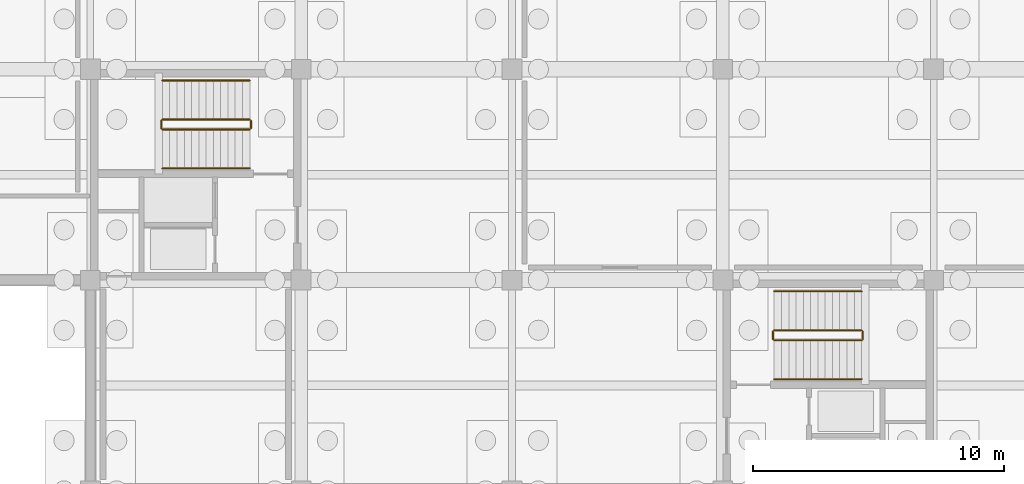
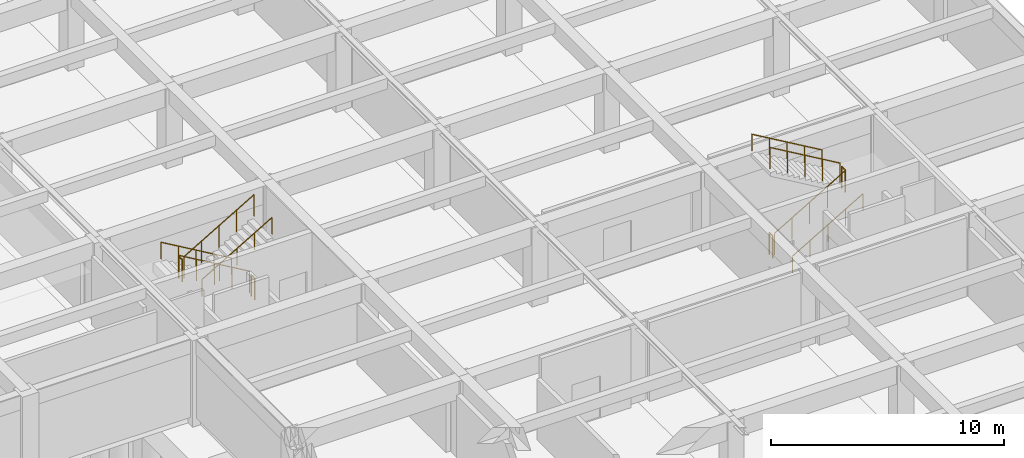
# One storey, part 32 of 33: 12 railings.
"""IFC4 building model written with IfcOpenShell, lengths in metres."""

from ifc_helpers import new_model, si_unit, direction, frame, origin, origin_2d, place, context, subcontext, project, spatial, circle, extrude, material, type_object, element, save


model = new_model("IFC4")

# Units and contexts
model_context = context("Model", 3, precision=1e-05, world=origin(), true_north=direction((0.0, 1.0)))
body_context = subcontext(model_context, "Body", "Model", "MODEL_VIEW")
ifc_project = project(units=[si_unit("LENGTHUNIT", "METRE"), si_unit("AREAUNIT", "SQUARE_METRE"), si_unit("VOLUMEUNIT", "CUBIC_METRE"), si_unit("PLANEANGLEUNIT", "RADIAN"), si_unit("MASSUNIT", "GRAM", prefix="KILO")], contexts=[model_context])

# Site, building, storey
site_placement = place(None, origin())
site = spatial("IfcSite", under=ifc_project, at=site_placement, CompositionType="ELEMENT")
building_placement = place(site_placement, origin())
building = spatial("IfcBuilding", under=site, at=building_placement, Name="Kveldsbrygga Polytechnic", CompositionType="ELEMENT")
storey_placement = place(building_placement, frame((0.0, 0.0, -4.419921875)))
storey = spatial("IfcBuildingStorey", under=building, at=storey_placement, Name="B1", CompositionType="ELEMENT", Elevation=-4.419921875)

# Railings
ifc_material = material(Name="Steel S355", Category="steel")
railing_type_1 = type_object("IfcRailingType", Name="RL-STAIR-GRD", PredefinedType="GUARDRAIL", material=ifc_material)
railing_1_placement = place(storey_placement, frame((132.35009765625, 90.39990234375, 0.169921875)))
element("IfcRailing", 1, at=railing_1_placement, inside=storey, type_object=railing_type_1, Name="B1 ST-2 stair guard 1", PredefinedType="GUARDRAIL", context=body_context, shape_type="SweptSolid", body=[
    extrude(circle(Radius=0.02392578125, at=origin_2d()), frame((0.0, 0.0, 1.1259765625), z_axis=(-0.862692506924, 0.0, 0.505728819128), x_axis=(0.0, -1.0, 0.0)), (0.0, 0.0, 1.0), 4.033935546875),
    extrude(circle(Radius=0.02099609375, at=origin_2d()), origin(), (0.0, 0.0, 1.0), 1.097900390625),
    extrude(circle(Radius=0.02099609375, at=origin_2d()), frame((-0.8701171875, 0.0, 0.510009765625)), (0.0, 0.0, 1.0), 1.097900390625),
    extrude(circle(Radius=0.02099609375, at=origin_2d()), frame((-1.739990234375, 0.0, 1.02001953125)), (0.0, 0.0, 1.0), 1.097900390625),
    extrude(circle(Radius=0.02099609375, at=origin_2d()), frame((-2.60986328125, 0.0, 1.530029296875)), (0.0, 0.0, 1.0), 1.097900390625),
    extrude(circle(Radius=0.02099609375, at=origin_2d()), frame((-3.47998046875, 0.0, 2.0400390625)), (0.0, 0.0, 1.0), 1.097900390625),
])
railing_2_placement = place(storey_placement, frame((128.820068359375, 90.35009765625, 2.2099609375)))
element("IfcRailing", 2, at=railing_2_placement, inside=storey, type_object=railing_type_1, Name="B1 ST-2 stair guard 2", PredefinedType="GUARDRAIL", context=body_context, shape_type="SweptSolid", body=[
    extrude(circle(Radius=0.02392578125, at=origin_2d()), frame((0.0, 0.0, 1.1259765625), z_axis=(0.0, -1.0, 0.0), x_axis=(1.0, 0.0, 0.0)), (0.0, 0.0, 1.0), 0.300048828125),
    extrude(circle(Radius=0.02099609375, at=origin_2d()), origin(), (0.0, 0.0, 1.0), 1.097900390625),
    extrude(circle(Radius=0.02099609375, at=origin_2d()), frame((0.0, -0.300048828125, 0.0)), (0.0, 0.0, 1.0), 1.097900390625),
])
railing_3_placement = place(storey_placement, frame((128.8701171875, 90.0, 2.3798828125)))
element("IfcRailing", 3, at=railing_3_placement, inside=storey, type_object=railing_type_1, Name="B1 ST-2 stair guard 3", PredefinedType="GUARDRAIL", context=body_context, shape_type="SweptSolid", body=[
    extrude(circle(Radius=0.02392578125, at=origin_2d()), frame((0.0, 0.0, 1.1259765625), z_axis=(0.862692506924, 0.0, 0.505728819128), x_axis=(0.0, 1.0, 0.0)), (0.0, 0.0, 1.0), 4.033935546875),
    extrude(circle(Radius=0.02099609375, at=origin_2d()), origin(), (0.0, 0.0, 1.0), 1.097900390625),
    extrude(circle(Radius=0.02099609375, at=origin_2d()), frame((0.8701171875, 0.0, 0.510009765625)), (0.0, 0.0, 1.0), 1.097900390625),
    extrude(circle(Radius=0.02099609375, at=origin_2d()), frame((1.739990234375, 0.0, 1.02001953125)), (0.0, 0.0, 1.0), 1.097900390625),
    extrude(circle(Radius=0.02099609375, at=origin_2d()), frame((2.60986328125, 0.0, 1.530029296875)), (0.0, 0.0, 1.0), 1.097900390625),
    extrude(circle(Radius=0.02099609375, at=origin_2d()), frame((3.47998046875, 0.0, 2.0400390625)), (0.0, 0.0, 1.0), 1.097900390625),
])
railing_4_placement = place(storey_placement, frame((132.39990234375, 90.35009765625, 0.0)))
element("IfcRailing", 4, at=railing_4_placement, inside=storey, type_object=railing_type_1, Name="B1 ST-2 stair guard 4", PredefinedType="GUARDRAIL", context=body_context, shape_type="SweptSolid", body=[
    extrude(circle(Radius=0.02392578125, at=origin_2d()), frame((0.0, 0.0, 1.1259765625), z_axis=(0.0, -1.0, 0.0), x_axis=(1.0, 0.0, 0.0)), (0.0, 0.0, 1.0), 0.300048828125),
    extrude(circle(Radius=0.02099609375, at=origin_2d()), origin(), (0.0, 0.0, 1.0), 1.097900390625),
    extrude(circle(Radius=0.02099609375, at=origin_2d()), frame((0.0, -0.300048828125, 0.0)), (0.0, 0.0, 1.0), 1.097900390625),
])
railing_5_placement = place(storey_placement, frame((153.25, 81.60009765625, 0.169921875)))
element("IfcRailing", 5, at=railing_5_placement, inside=storey, type_object=railing_type_1, Name="B1 ST-4 stair guard 1", PredefinedType="GUARDRAIL", context=body_context, shape_type="SweptSolid", body=[
    extrude(circle(Radius=0.02392578125, at=origin_2d()), frame((0.0, 0.0, 1.1259765625), z_axis=(0.862692506924, 0.0, 0.505728819128), x_axis=(0.0, 1.0, 0.0)), (0.0, 0.0, 1.0), 4.033935546875),
    extrude(circle(Radius=0.02099609375, at=origin_2d()), origin(), (0.0, 0.0, 1.0), 1.097900390625),
    extrude(circle(Radius=0.02099609375, at=origin_2d()), frame((0.8701171875, 0.0, 0.510009765625)), (0.0, 0.0, 1.0), 1.097900390625),
    extrude(circle(Radius=0.02099609375, at=origin_2d()), frame((1.739990234375, 0.0, 1.02001953125)), (0.0, 0.0, 1.0), 1.097900390625),
    extrude(circle(Radius=0.02099609375, at=origin_2d()), frame((2.60986328125, 0.0, 1.530029296875)), (0.0, 0.0, 1.0), 1.097900390625),
    extrude(circle(Radius=0.02099609375, at=origin_2d()), frame((3.47998046875, 0.0, 2.0400390625)), (0.0, 0.0, 1.0), 1.097900390625),
])
railing_6_placement = place(storey_placement, frame((156.780029296875, 81.64990234375, 2.2099609375)))
element("IfcRailing", 6, at=railing_6_placement, inside=storey, type_object=railing_type_1, Name="B1 ST-4 stair guard 2", PredefinedType="GUARDRAIL", context=body_context, shape_type="SweptSolid", body=[
    extrude(circle(Radius=0.02392578125, at=origin_2d()), frame((0.0, 0.0, 1.1259765625), z_axis=(0.0, 1.0, 0.0), x_axis=(-1.0, 0.0, 0.0)), (0.0, 0.0, 1.0), 0.300048828125),
    extrude(circle(Radius=0.02099609375, at=origin_2d()), origin(), (0.0, 0.0, 1.0), 1.097900390625),
    extrude(circle(Radius=0.02099609375, at=origin_2d()), frame((0.0, 0.300048828125, 0.0)), (0.0, 0.0, 1.0), 1.097900390625),
])
railing_7_placement = place(storey_placement, frame((156.72998046875, 82.0, 2.3798828125)))
element("IfcRailing", 7, at=railing_7_placement, inside=storey, type_object=railing_type_1, Name="B1 ST-4 stair guard 3", PredefinedType="GUARDRAIL", context=body_context, shape_type="SweptSolid", body=[
    extrude(circle(Radius=0.02392578125, at=origin_2d()), frame((0.0, 0.0, 1.1259765625), z_axis=(-0.862692506924, 0.0, 0.505728819128), x_axis=(0.0, -1.0, 0.0)), (0.0, 0.0, 1.0), 4.033935546875),
    extrude(circle(Radius=0.02099609375, at=origin_2d()), origin(), (0.0, 0.0, 1.0), 1.097900390625),
    extrude(circle(Radius=0.02099609375, at=origin_2d()), frame((-0.8701171875, 0.0, 0.510009765625)), (0.0, 0.0, 1.0), 1.097900390625),
    extrude(circle(Radius=0.02099609375, at=origin_2d()), frame((-1.739990234375, 0.0, 1.02001953125)), (0.0, 0.0, 1.0), 1.097900390625),
    extrude(circle(Radius=0.02099609375, at=origin_2d()), frame((-2.60986328125, 0.0, 1.530029296875)), (0.0, 0.0, 1.0), 1.097900390625),
    extrude(circle(Radius=0.02099609375, at=origin_2d()), frame((-3.47998046875, 0.0, 2.0400390625)), (0.0, 0.0, 1.0), 1.097900390625),
])
railing_8_placement = place(storey_placement, frame((153.199951171875, 81.64990234375, 0.0)))
element("IfcRailing", 8, at=railing_8_placement, inside=storey, type_object=railing_type_1, Name="B1 ST-4 stair guard 4", PredefinedType="GUARDRAIL", context=body_context, shape_type="SweptSolid", body=[
    extrude(circle(Radius=0.02392578125, at=origin_2d()), frame((0.0, 0.0, 1.1259765625), z_axis=(0.0, 1.0, 0.0), x_axis=(-1.0, 0.0, 0.0)), (0.0, 0.0, 1.0), 0.300048828125),
    extrude(circle(Radius=0.02099609375, at=origin_2d()), origin(), (0.0, 0.0, 1.0), 1.097900390625),
    extrude(circle(Radius=0.02099609375, at=origin_2d()), frame((0.0, 0.300048828125, 0.0)), (0.0, 0.0, 1.0), 1.097900390625),
])
railing_type_2 = type_object("IfcRailingType", Name="RL-STAIR-HND", PredefinedType="HANDRAIL", material=ifc_material)
railing_9_placement = place(storey_placement, frame((132.35009765625, 91.949951171875, 0.169921875)))
element("IfcRailing", 9, at=railing_9_placement, inside=storey, type_object=railing_type_2, Name="B1 ST-2 stair handrail 1", PredefinedType="HANDRAIL", context=body_context, shape_type="SweptSolid", body=[
    extrude(circle(Radius=0.02392578125, at=origin_2d()), frame((0.0, 0.0, 0.8759765625), z_axis=(-0.862692506924, 0.0, 0.505728819128), x_axis=(0.0, -1.0, 0.0)), (0.0, 0.0, 1.0), 4.033935546875),
    extrude(circle(Radius=0.02099609375, at=origin_2d()), origin(), (0.0, 0.0, 1.0), 0.847900390625),
    extrude(circle(Radius=0.02099609375, at=origin_2d()), frame((-0.8701171875, 0.0, 0.510009765625)), (0.0, 0.0, 1.0), 0.847900390625),
    extrude(circle(Radius=0.02099609375, at=origin_2d()), frame((-1.739990234375, 0.0, 1.02001953125)), (0.0, 0.0, 1.0), 0.847900390625),
    extrude(circle(Radius=0.02099609375, at=origin_2d()), frame((-2.60986328125, 0.0, 1.530029296875)), (0.0, 0.0, 1.0), 0.847900390625),
    extrude(circle(Radius=0.02099609375, at=origin_2d()), frame((-3.47998046875, 0.0, 2.0400390625)), (0.0, 0.0, 1.0), 0.847900390625),
])
for number, where, name in (
    (10, (128.8701171875, 88.449951171875, 2.3798828125), "B1 ST-2 stair handrail 2"),
    (11, (153.25, 80.050048828125, 0.169921875), "B1 ST-4 stair handrail 1"),
):
    element("IfcRailing", number, at=place(storey_placement, frame(where)), inside=storey, type_object=railing_type_2, Name=name, PredefinedType="HANDRAIL", context=body_context, shape_type="SweptSolid", body=[
        extrude(circle(Radius=0.02392578125, at=origin_2d()), frame((0.0, 0.0, 0.8759765625), z_axis=(0.862692506924, 0.0, 0.505728819128), x_axis=(0.0, 1.0, 0.0)), (0.0, 0.0, 1.0), 4.033935546875),
        extrude(circle(Radius=0.02099609375, at=origin_2d()), origin(), (0.0, 0.0, 1.0), 0.847900390625),
        extrude(circle(Radius=0.02099609375, at=origin_2d()), frame((0.8701171875, 0.0, 0.510009765625)), (0.0, 0.0, 1.0), 0.847900390625),
        extrude(circle(Radius=0.02099609375, at=origin_2d()), frame((1.739990234375, 0.0, 1.02001953125)), (0.0, 0.0, 1.0), 0.847900390625),
        extrude(circle(Radius=0.02099609375, at=origin_2d()), frame((2.60986328125, 0.0, 1.530029296875)), (0.0, 0.0, 1.0), 0.847900390625),
        extrude(circle(Radius=0.02099609375, at=origin_2d()), frame((3.47998046875, 0.0, 2.0400390625)), (0.0, 0.0, 1.0), 0.847900390625),
    ])
railing_10_placement = place(storey_placement, frame((156.72998046875, 83.550048828125, 2.3798828125)))
element("IfcRailing", 12, at=railing_10_placement, inside=storey, type_object=railing_type_2, Name="B1 ST-4 stair handrail 2", PredefinedType="HANDRAIL", context=body_context, shape_type="SweptSolid", body=[
    extrude(circle(Radius=0.02392578125, at=origin_2d()), frame((0.0, 0.0, 0.8759765625), z_axis=(-0.862692506924, 0.0, 0.505728819128), x_axis=(0.0, -1.0, 0.0)), (0.0, 0.0, 1.0), 4.033935546875),
    extrude(circle(Radius=0.02099609375, at=origin_2d()), origin(), (0.0, 0.0, 1.0), 0.847900390625),
    extrude(circle(Radius=0.02099609375, at=origin_2d()), frame((-0.8701171875, 0.0, 0.510009765625)), (0.0, 0.0, 1.0), 0.847900390625),
    extrude(circle(Radius=0.02099609375, at=origin_2d()), frame((-1.739990234375, 0.0, 1.02001953125)), (0.0, 0.0, 1.0), 0.847900390625),
    extrude(circle(Radius=0.02099609375, at=origin_2d()), frame((-2.60986328125, 0.0, 1.530029296875)), (0.0, 0.0, 1.0), 0.847900390625),
    extrude(circle(Radius=0.02099609375, at=origin_2d()), frame((-3.47998046875, 0.0, 2.0400390625)), (0.0, 0.0, 1.0), 0.847900390625),
])

save(model, "model.ifc")
